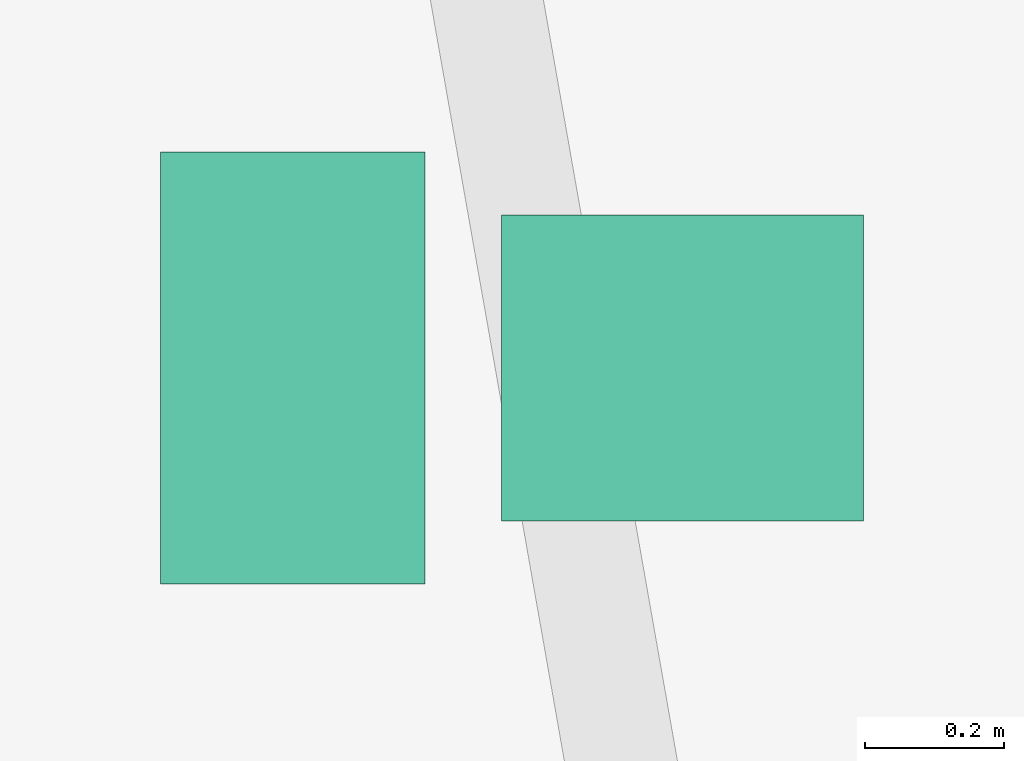
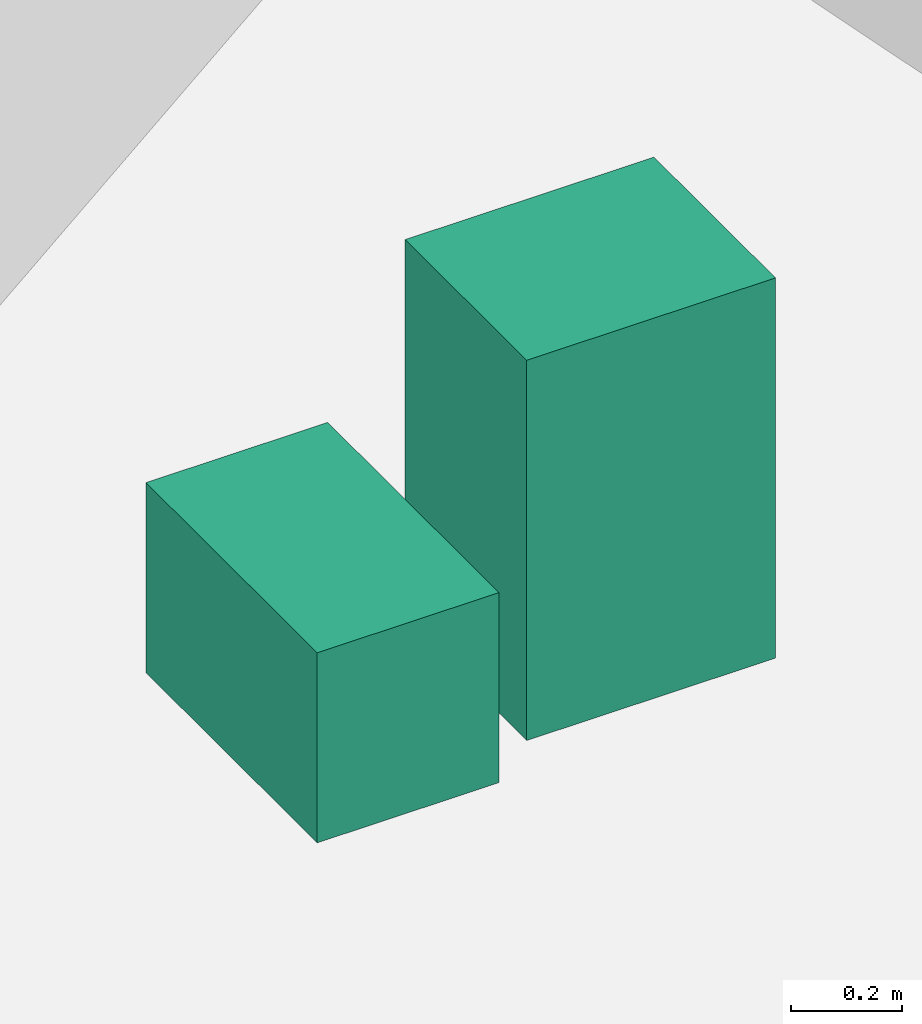
# One storey, part 11 of 11: 2 sanitary terminals.
"""IFC4 building model written with IfcOpenShell, lengths in metres."""

from ifc_helpers import new_model, si_unit, direction, frame, origin, origin_2d, place, context, subcontext, project, spatial, rectangle, extrude, source, transform, mapped, material, type_object, element, save


model = new_model("IFC4")

# Units and contexts
model_context = context("Model", 3, precision=1e-05, world=origin(), true_north=direction((0.0, 1.0)))
body_context = subcontext(model_context, "Body", "Model", "MODEL_VIEW")
ifc_project = project(units=[si_unit("LENGTHUNIT", "METRE"), si_unit("AREAUNIT", "SQUARE_METRE"), si_unit("VOLUMEUNIT", "CUBIC_METRE"), si_unit("PLANEANGLEUNIT", "RADIAN"), si_unit("MASSUNIT", "GRAM", prefix="KILO")], contexts=[model_context])

# Site, building, storey
site_placement = place(None, origin())
site = spatial("IfcSite", under=ifc_project, at=site_placement, CompositionType="ELEMENT")
building_placement = place(site_placement, origin())
building = spatial("IfcBuilding", under=site, at=building_placement, Name="Qafzar Sky-Pleat Residences", CompositionType="ELEMENT")
storey_placement = place(building_placement, frame((0.0, 0.0, 218.0)))
storey = spatial("IfcBuildingStorey", under=building, at=storey_placement, Name="L65", CompositionType="ELEMENT", Elevation=218.0)

# Sanitary terminals
ifc_material = material(Name="Vitreous china sanitaryware")
sanitary_terminal_type_1 = type_object("IfcSanitaryTerminalType", Name="SAN-WC-PAN", PredefinedType="TOILETPAN", material=ifc_material)
shared_shape_1 = source(origin(), body_context, "Body", "SweptSolid", [
    extrude(rectangle(XDim=0.3798828125, YDim=0.6201171875, at=origin_2d()), origin(), (0.0, 0.0, 1.0), 0.419921875),
])
sanitary_terminal_1_placement = place(storey_placement, frame((39.677978515625, 30.823486328125, 0.0), z_axis=(0.0, 0.0, 1.0), x_axis=(1.0, 0.0, 0.0)))
element("IfcSanitaryTerminal", 1, at=sanitary_terminal_1_placement, inside=storey, type_object=sanitary_terminal_type_1, Name="L65 Accessible Shared Washroom WC Pan", PredefinedType="TOILETPAN", context=body_context, shape_type="MappedRepresentation", body=[
    mapped(shared_shape_1, transform((0.0, 0.0, 0.0), x_axis=(1.0, 0.0, 0.0), y_axis=(0.0, 1.0, 0.0), z_axis=(0.0, 0.0, 1.0), scale=1.0)),
])
sanitary_terminal_type_2 = type_object("IfcSanitaryTerminalType", Name="SAN-BASIN", PredefinedType="WASHHANDBASIN", material=ifc_material)
shared_shape_2 = source(origin(), body_context, "Body", "SweptSolid", [
    extrude(rectangle(XDim=0.52001953125, YDim=0.43994140625, at=origin_2d()), origin(), (0.0, 0.0, 1.0), 0.840087890625),
])
sanitary_terminal_2_placement = place(storey_placement, frame((40.23779296875, 30.823486328125, 0.0), z_axis=(0.0, 0.0, 1.0), x_axis=(1.0, 0.0, 0.0)))
element("IfcSanitaryTerminal", 2, at=sanitary_terminal_2_placement, inside=storey, type_object=sanitary_terminal_type_2, Name="L65 Accessible Shared Washroom Pedestal Washbasin", PredefinedType="WASHHANDBASIN", context=body_context, shape_type="MappedRepresentation", body=[
    mapped(shared_shape_2, transform((0.0, 0.0, 0.0), x_axis=(1.0, 0.0, 0.0), y_axis=(0.0, 1.0, 0.0), z_axis=(0.0, 0.0, 1.0), scale=1.0)),
])

save(model, "model.ifc")
